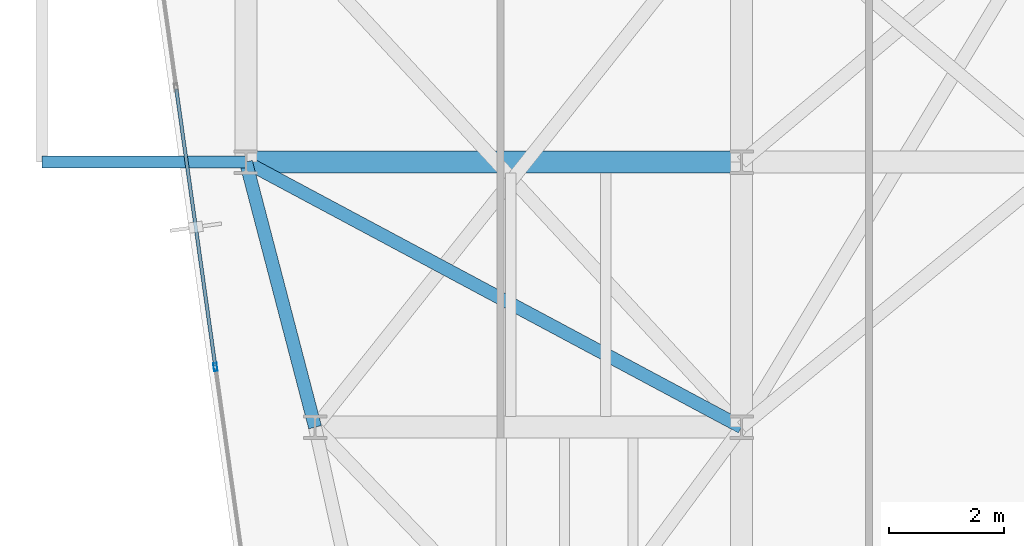
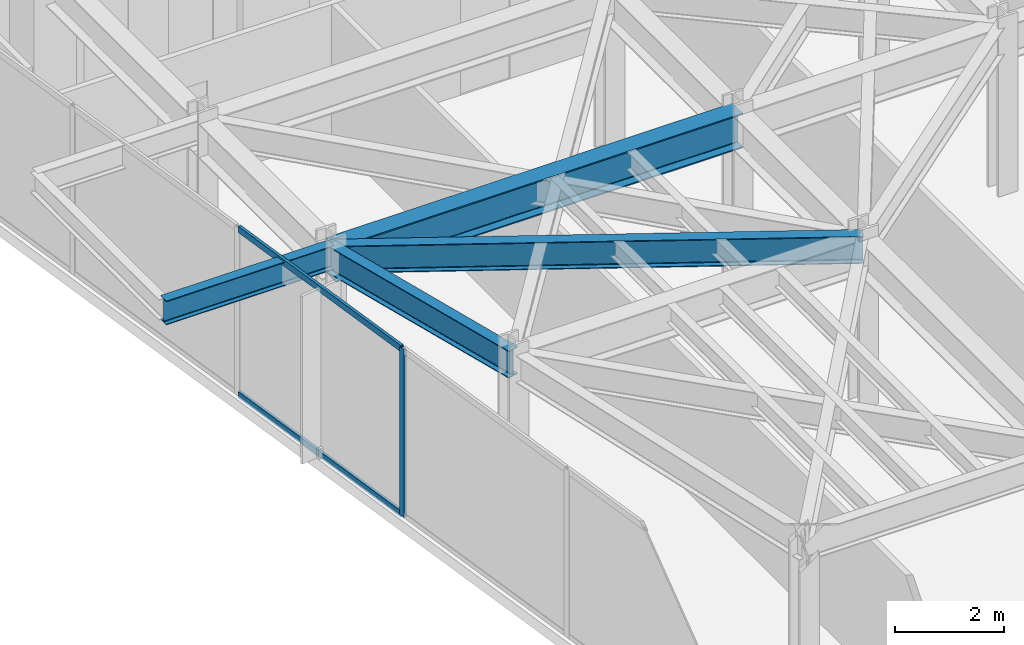
# One storey, part 4 of 26: 4 beams, 3 members, 1 element without a shape of its own.
"""IFC4 building model written with IfcOpenShell, lengths in metres."""

from ifc_helpers import new_model, si_unit, direction, frame, origin, origin_2d, place, context, subcontext, project, spatial, hollow_rectangle, i_section, extrude, material, layer, layer_set, material_profile, profile_set, type_object, element, aggregate, save


model = new_model("IFC4")

# Units and contexts
model_context = context("Model", 3, precision=1e-05, world=origin(), true_north=direction((0.0, 1.0)))
body_context = subcontext(model_context, "Body", "Model", "MODEL_VIEW")
ifc_project = project(units=[si_unit("LENGTHUNIT", "METRE"), si_unit("AREAUNIT", "SQUARE_METRE"), si_unit("VOLUMEUNIT", "CUBIC_METRE"), si_unit("PLANEANGLEUNIT", "RADIAN"), si_unit("MASSUNIT", "GRAM", prefix="KILO")], contexts=[model_context])

# Site, building, storey
site_placement = place(None, origin())
site = spatial("IfcSite", under=ifc_project, at=site_placement, CompositionType="ELEMENT")
building_placement = place(site_placement, origin())
building = spatial("IfcBuilding", under=site, at=building_placement, Name="Kravanh Interchange Tower", CompositionType="ELEMENT")
storey_placement = place(building_placement, frame((0.0, 0.0, 180.5)))
storey = spatial("IfcBuildingStorey", under=building, at=storey_placement, Name="L43", CompositionType="ELEMENT", Elevation=180.5)

# Curtain wall, members
ifc_material_1 = material(Name="Anodised Bronze Aluminium", Category="aluminium")
ifc_layer = layer(ifc_material_1, 0.179931640625)
ifc_layer_set = layer_set([ifc_layer], Name="Unitised Curtain Wall System CW-Z3 Upper Office")
curtain_wall_type = type_object("IfcCurtainWallType", Name="Unitised Curtain Wall System CW-Z3 Upper Office", PredefinedType="NOTDEFINED", material=ifc_layer_set)
curtain_wall_placement = place(storey_placement, origin())
curtain_wall = element("IfcCurtainWall", 1, at=curtain_wall_placement, inside=storey, type_object=curtain_wall_type, Name="L43 Unitised Curtain Wall CW-L43-01", PredefinedType="NOTDEFINED")
ifc_material_2 = material(Name="Anodised Bronze Aluminium", Category="aluminium")
ifc_material_profile_1 = material_profile(ifc_material_2, hollow_rectangle(XDim=0.06005859375, YDim=0.139892578125, WallThickness=0.00390625, at=origin_2d()), Name="ALU60X140X4")
ifc_profile_set_1 = profile_set([ifc_material_profile_1], Name="Anodised Bronze Aluminium")
member_type_1 = type_object("IfcMemberType", Name="Curtain Wall Mullion ALU60X140X4 Bronze", PredefinedType="MULLION", material=ifc_profile_set_1)
member_1_placement = place(storey_placement, frame((18.070556640625, 23.244384765625, 0.0), z_axis=(0.0, 0.0, 1.0), x_axis=(-0.990268194035, -0.139172209446, 0.0)))
member_1 = element("IfcMember", 2, at=member_1_placement, type_object=member_type_1, Name="CW-Z3 mullion 3", PredefinedType="MULLION", context=body_context, shape_type="SweptSolid", body=[
    extrude(hollow_rectangle(XDim=0.06005859375, YDim=0.139892578125, WallThickness=0.00390625, at=origin_2d()), origin(), (0.0, 0.0, 1.0), 3.7548828125),
])
ifc_material_3 = material(Name="Anodised Bronze Aluminium", Category="aluminium")
ifc_material_profile_2 = material_profile(ifc_material_3, hollow_rectangle(XDim=0.06005859375, YDim=0.139892578125, WallThickness=0.00390625, at=origin_2d()), Name="ALU60X140X4")
ifc_profile_set_2 = profile_set([ifc_material_profile_2], Name="Anodised Bronze Aluminium")
member_type_2 = type_object("IfcMemberType", Name="Curtain Wall Transom ALU60X140X4 Bronze", PredefinedType="USERDEFINED", material=ifc_profile_set_2)
member_2_placement = place(storey_placement, frame((18.06640625, 23.274169921875, 0.030029296875), z_axis=(-0.139182174391, 0.990266793512, 0.0), x_axis=(-0.990266793512, -0.139182174391, 0.0)))
member_2 = element("IfcMember", 3, at=member_2_placement, type_object=member_type_2, Name="CW-Z3 transom 3.1", ObjectType="TRANSOM", PredefinedType="USERDEFINED", context=body_context, shape_type="SweptSolid", body=[
    extrude(hollow_rectangle(XDim=0.06005859375, YDim=0.139892578125, WallThickness=0.00390625, at=origin_2d()), origin(), (0.0, 0.0, 1.0), 4.839599609375),
])
member_3_placement = place(storey_placement, frame((18.06640625, 23.274169921875, 3.72509765625), z_axis=(-0.139182174391, 0.990266793512, 0.0), x_axis=(-0.990266793512, -0.139182174391, 0.0)))
member_3 = element("IfcMember", 4, at=member_3_placement, type_object=member_type_2, Name="CW-Z3 transom 3.2", ObjectType="TRANSOM", PredefinedType="USERDEFINED", context=body_context, shape_type="SweptSolid", body=[
    extrude(hollow_rectangle(XDim=0.06005859375, YDim=0.139892578125, WallThickness=0.00390625, at=origin_2d()), origin(), (0.0, 0.0, 1.0), 4.839599609375),
])
aggregate(curtain_wall, [member_1, member_2, member_3])

# Beams
ifc_material_4 = material(Name="Structural Steel S355", Category="steel")
ifc_material_profile_3 = material_profile(ifc_material_4, i_section(OverallWidth=0.381103515625, OverallDepth=0.77294921875, WebThickness=0.0166015625, FlangeThickness=0.027099609375, FilletRadius=0.02490234375, at=origin_2d()), Name="W30X173")
ifc_profile_set_3 = profile_set([ifc_material_profile_3], Name="Structural Steel S355")
beam_type_1 = type_object("IfcBeamType", Name="Floor Beam W30X173 Structural Steel S355", PredefinedType="BEAM", material=ifc_profile_set_3)
beam_1_placement = place(storey_placement, frame((18.60009765625, 26.800048828125, 3.368408203125), z_axis=(1.0, 0.0, 0.0), x_axis=(0.0, 1.0, 0.0)))
element("IfcBeam", 5, at=beam_1_placement, inside=storey, type_object=beam_type_1, Name="L43 Primary Floor Girder 35", PredefinedType="BEAM", context=body_context, shape_type="SweptSolid", body=[
    extrude(i_section(OverallWidth=0.381103515625, OverallDepth=0.77294921875, WebThickness=0.0166015625, FlangeThickness=0.027099609375, FilletRadius=0.02490234375, at=origin_2d()), origin(), (0.0, 0.0, 1.0), 8.599853515625),
])
ifc_material_5 = material(Name="Structural Steel S355", Category="steel")
ifc_material_profile_4 = material_profile(ifc_material_5, i_section(OverallWidth=0.2099609375, OverallDepth=0.537109375, WebThickness=0.010986328125, FlangeThickness=0.017333984375, FilletRadius=0.02001953125, at=origin_2d()), Name="W21X68")
ifc_profile_set_4 = profile_set([ifc_material_profile_4], Name="Structural Steel S355")
beam_type_2 = type_object("IfcBeamType", Name="Floor Spandrel W21X68 Structural Steel S355", PredefinedType="SPANDREL", material=ifc_profile_set_4)
beam_2_placement = place(storey_placement, frame((18.60009765625, 26.800048828125, 3.486572265625), z_axis=(-1.0, 0.0, 0.0), x_axis=(0.0, -1.0, 0.0)))
element("IfcBeam", 6, at=beam_2_placement, inside=storey, type_object=beam_type_2, Name="L43 Balcony Cantilever Outrigger W1", PredefinedType="SPANDREL", context=body_context, shape_type="SweptSolid", body=[
    extrude(i_section(OverallWidth=0.2099609375, OverallDepth=0.537109375, WebThickness=0.010986328125, FlangeThickness=0.017333984375, FilletRadius=0.02001953125, at=origin_2d()), origin(), (0.0, 0.0, 1.0), 3.5419921875),
])
ifc_material_6 = material(Name="Structural Steel S355", Category="steel")
ifc_material_profile_5 = material_profile(ifc_material_6, i_section(OverallWidth=0.22802734375, OverallDepth=0.60791015625, WebThickness=0.01123046875, FlangeThickness=0.017333984375, FilletRadius=0.02197265625, at=origin_2d()), Name="W24X76")
ifc_profile_set_5 = profile_set([ifc_material_profile_5], Name="Structural Steel S355")
beam_type_3 = type_object("IfcBeamType", Name="Floor Spandrel W24X76 Structural Steel S355", PredefinedType="SPANDREL", material=ifc_profile_set_5)
beam_3_placement = place(storey_placement, frame((18.60009765625, 26.800048828125, 3.450927734375), z_axis=(0.252407263364, -0.967621089787, 0.0), x_axis=(0.967621089787, 0.252407263364, 0.0)))
element("IfcBeam", 7, at=beam_3_placement, inside=storey, type_object=beam_type_3, Name="L43 Perimeter Spandrel 34", PredefinedType="SPANDREL", context=body_context, shape_type="SweptSolid", body=[
    extrude(i_section(OverallWidth=0.22802734375, OverallDepth=0.60791015625, WebThickness=0.01123046875, FlangeThickness=0.017333984375, FilletRadius=0.02197265625, at=origin_2d()), origin(), (0.0, 0.0, 1.0), 4.75390625),
])
beam_4_placement = place(storey_placement, frame((18.60009765625, 26.800048828125, 3.450927734375), z_axis=(0.881777136221, -0.471666282489, 0.0), x_axis=(0.471666282489, 0.881777136221, 0.0)))
element("IfcBeam", 8, at=beam_4_placement, inside=storey, type_object=beam_type_3, Name="L43 Perimeter Spandrel 36", PredefinedType="SPANDREL", context=body_context, shape_type="SweptSolid", body=[
    extrude(i_section(OverallWidth=0.22802734375, OverallDepth=0.60791015625, WebThickness=0.01123046875, FlangeThickness=0.017333984375, FilletRadius=0.02197265625, at=origin_2d()), origin(), (0.0, 0.0, 1.0), 9.7529296875),
])

save(model, "model.ifc")
